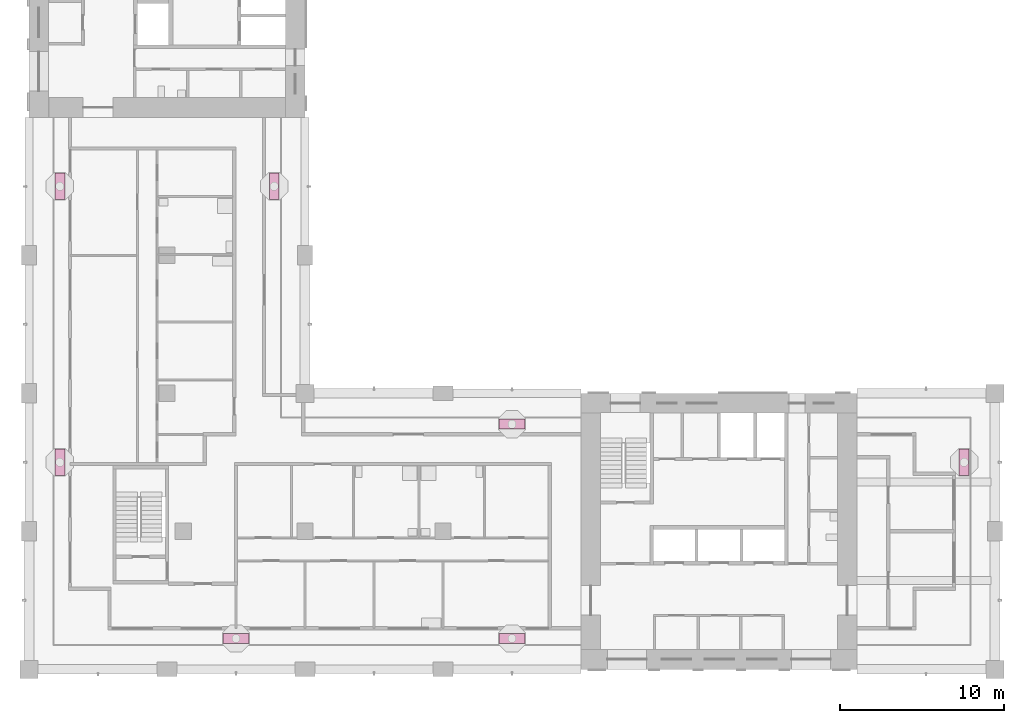
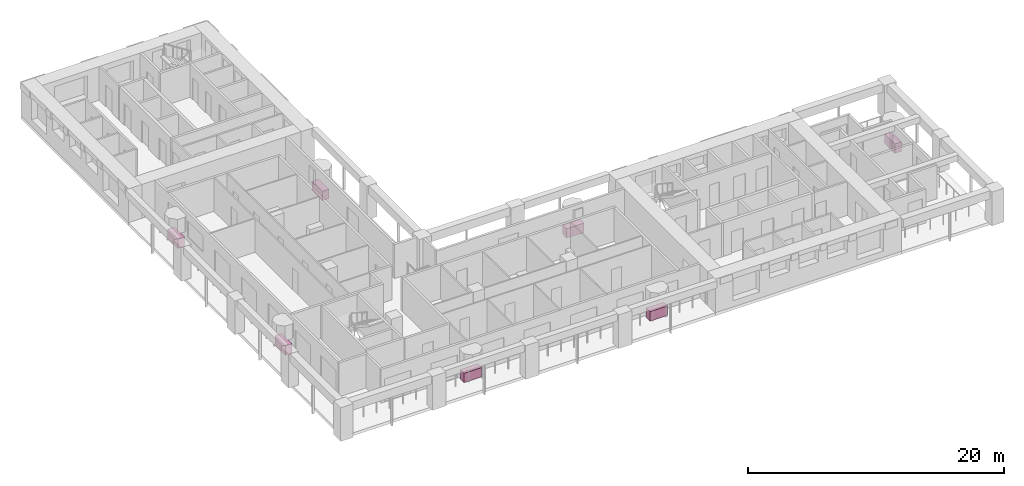
# One storey, part 12 of 13: 7 furniture elements.
"""IFC4 building model written with IfcOpenShell, lengths in metres."""

from ifc_helpers import new_model, si_unit, direction, frame, origin, origin_2d, place, context, subcontext, project, spatial, rectangle, extrude, material, element, save


model = new_model("IFC4")

# Units and contexts
model_context = context("Model", 3, precision=1e-05, world=origin(), true_north=direction((0.0, 1.0)))
body_context = subcontext(model_context, "Body", "Model", "MODEL_VIEW")
ifc_project = project(units=[si_unit("LENGTHUNIT", "METRE"), si_unit("AREAUNIT", "SQUARE_METRE"), si_unit("VOLUMEUNIT", "CUBIC_METRE"), si_unit("PLANEANGLEUNIT", "RADIAN"), si_unit("MASSUNIT", "GRAM", prefix="KILO")], contexts=[model_context])

# Site, building, storey
site_placement = place(None, origin())
site = spatial("IfcSite", under=ifc_project, at=site_placement, CompositionType="ELEMENT")
building_placement = place(site_placement, origin())
building = spatial("IfcBuilding", under=site, at=building_placement, Name="Vermilion Gate Residences", CompositionType="ELEMENT")
storey_placement = place(building_placement, frame((0.0, 0.0, 193.199951171875)))
storey = spatial("IfcBuildingStorey", under=building, at=storey_placement, Name="L50", CompositionType="ELEMENT", Elevation=193.199951171875)

# Furniture
ifc_material = material(Name="Terracotta planter", Category="masonry")
for number, where, z_axis, x_axis, name in (
    (1, (21.0, 10.27490234375, 0.0), (0.0, 0.0, 1.0), (1.0, 0.0, 0.0), "PLANTER"),
    (2, (37.800048828125, 10.27490234375, 0.0), (0.0, 0.0, 1.0), (1.0, 0.0, 0.0), "PLANTER"),
    (3, (65.324951171875, 21.0, 0.0), (0.0, 0.0, 1.0), (0.0, 1.0, 0.0), "PLANTER"),
    (4, (37.800048828125, 23.324951171875, 0.0), (0.0, 0.0, 1.0), (-1.0, 0.0, 0.0), "PLANTER"),
    (5, (23.324951171875, 37.800048828125, 0.0), (0.0, 0.0, 1.0), (0.0, 1.0, 0.0), "PLANTER"),
    (6, (10.27490234375, 21.0, 0.0), (0.0, 0.0, 1.0), (0.0, -1.0, 0.0), "PLANTER"),
    (7, (10.27490234375, 37.800048828125, 0.0), (0.0, 0.0, 1.0), (0.0, -1.0, 0.0), "PLANTER"),
):
    element("IfcFurniture", number, at=place(storey_placement, frame(where, z_axis=z_axis, x_axis=x_axis)), inside=storey, material=ifc_material, Name=name, ObjectType="PLANTER", PredefinedType="USERDEFINED", context=body_context, shape_type="SweptSolid", body=[
        extrude(rectangle(XDim=1.60009765625, YDim=0.60009765625, at=origin_2d()), origin(), (0.0, 0.0, 1.0), 0.89990234375),
    ])

save(model, "model.ifc")
